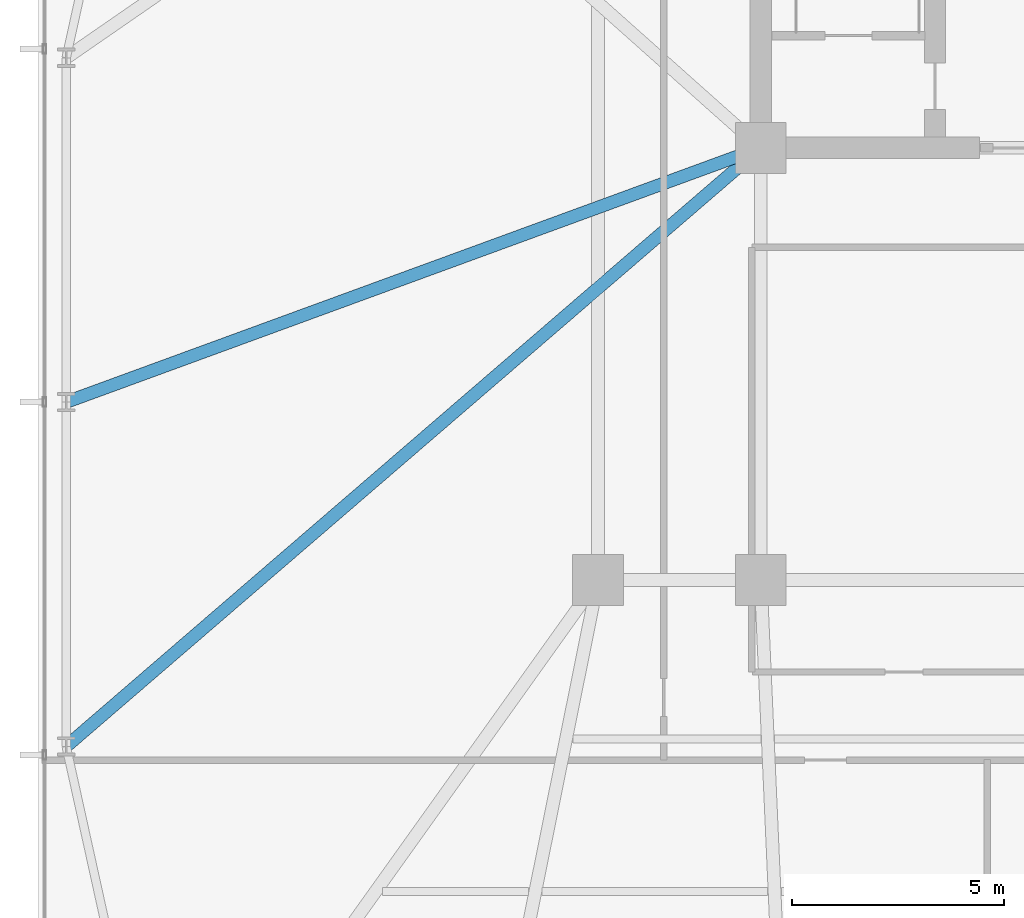
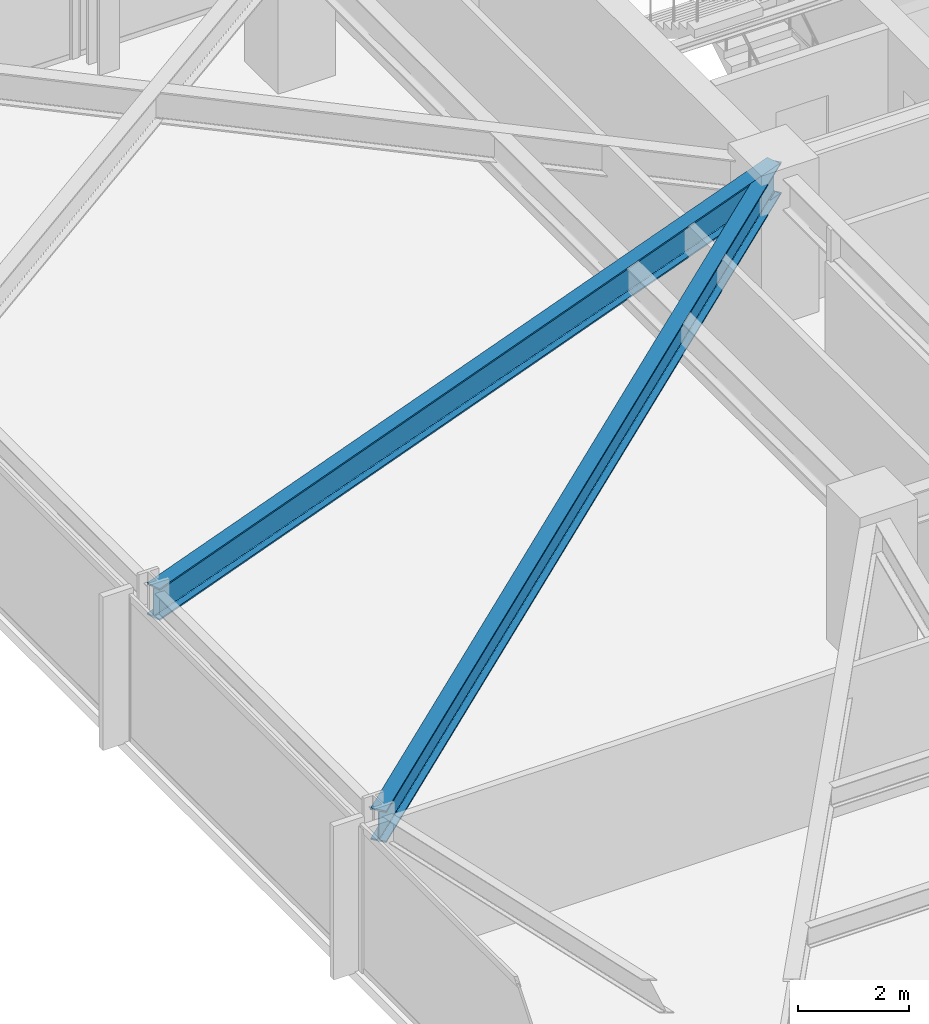
# One storey, part 8 of 33: 2 beams.
"""IFC4 building model written with IfcOpenShell, lengths in metres."""

from ifc_helpers import new_model, si_unit, direction, frame, origin, origin_2d, place, context, subcontext, project, spatial, i_section, extrude, material, material_profile, profile_set, type_object, element, save


model = new_model("IFC4")

# Units and contexts
model_context = context("Model", 3, precision=1e-05, world=origin(), true_north=direction((0.0, 1.0)))
body_context = subcontext(model_context, "Body", "Model", "MODEL_VIEW")
ifc_project = project(units=[si_unit("LENGTHUNIT", "METRE"), si_unit("AREAUNIT", "SQUARE_METRE"), si_unit("VOLUMEUNIT", "CUBIC_METRE"), si_unit("PLANEANGLEUNIT", "RADIAN"), si_unit("MASSUNIT", "GRAM", prefix="KILO")], contexts=[model_context])

# Site, building, storey
site_placement = place(None, origin())
site = spatial("IfcSite", under=ifc_project, at=site_placement, CompositionType="ELEMENT")
building_placement = place(site_placement, origin())
building = spatial("IfcBuilding", under=site, at=building_placement, Name="Yelkora Congress Tower", CompositionType="ELEMENT")
storey_placement = place(building_placement, frame((0.0, 0.0, 37.199951171875)))
storey = spatial("IfcBuildingStorey", under=building, at=storey_placement, Name="L08", CompositionType="ELEMENT", Elevation=37.199951171875)

# Beams
ifc_material = material(Name="Steel S355J2", Category="steel")
ifc_material_profile = material_profile(ifc_material, i_section(OverallWidth=0.300048828125, OverallDepth=0.699951171875, WebThickness=0.01708984375, FlangeThickness=0.031982421875, FilletRadius=0.027099609375, at=origin_2d()), Name="HEB 700")
ifc_profile_set = profile_set([ifc_material_profile], Name="Steel S355J2")
beam_type = type_object("IfcBeamType", Name="BM-GIRD-HEB700", PredefinedType="BEAM", material=ifc_profile_set)
beam_1_placement = place(storey_placement, frame((6.64990234375, 21.27490234375, 2.830078125), z_axis=(0.757511165967, 0.652822206604, 0.0), x_axis=(-0.652822206604, 0.757511165967, 0.0)))
element("IfcBeam", 1, at=beam_1_placement, inside=storey, type_object=beam_type, Name="L08 Primary Frame Girder W01", PredefinedType="BEAM", context=body_context, shape_type="SweptSolid", body=[
    extrude(i_section(OverallWidth=0.300048828125, OverallDepth=0.699951171875, WebThickness=0.01708984375, FlangeThickness=0.031982421875, FilletRadius=0.027099609375, at=origin_2d()), origin(), (0.0, 0.0, 1.0), 21.63671875),
])
beam_2_placement = place(storey_placement, frame((6.64990234375, 29.39990234375, 2.830078125), z_axis=(0.939056124561, 0.343763865064, 0.0), x_axis=(-0.343763865064, 0.939056124561, 0.0)))
element("IfcBeam", 2, at=beam_2_placement, inside=storey, type_object=beam_type, Name="L08 Primary Frame Girder W02", PredefinedType="BEAM", context=body_context, shape_type="SweptSolid", body=[
    extrude(i_section(OverallWidth=0.300048828125, OverallDepth=0.699951171875, WebThickness=0.01708984375, FlangeThickness=0.031982421875, FilletRadius=0.027099609375, at=origin_2d()), origin(), (0.0, 0.0, 1.0), 17.453857421875),
])

save(model, "model.ifc")
